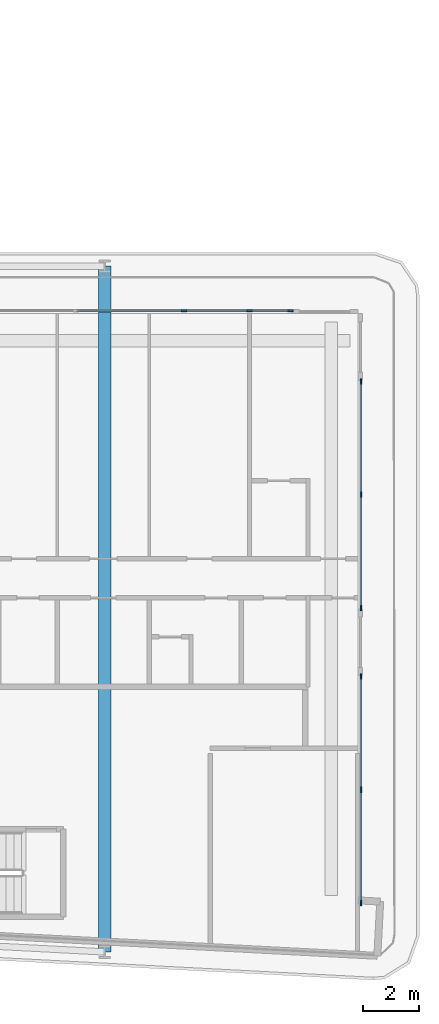
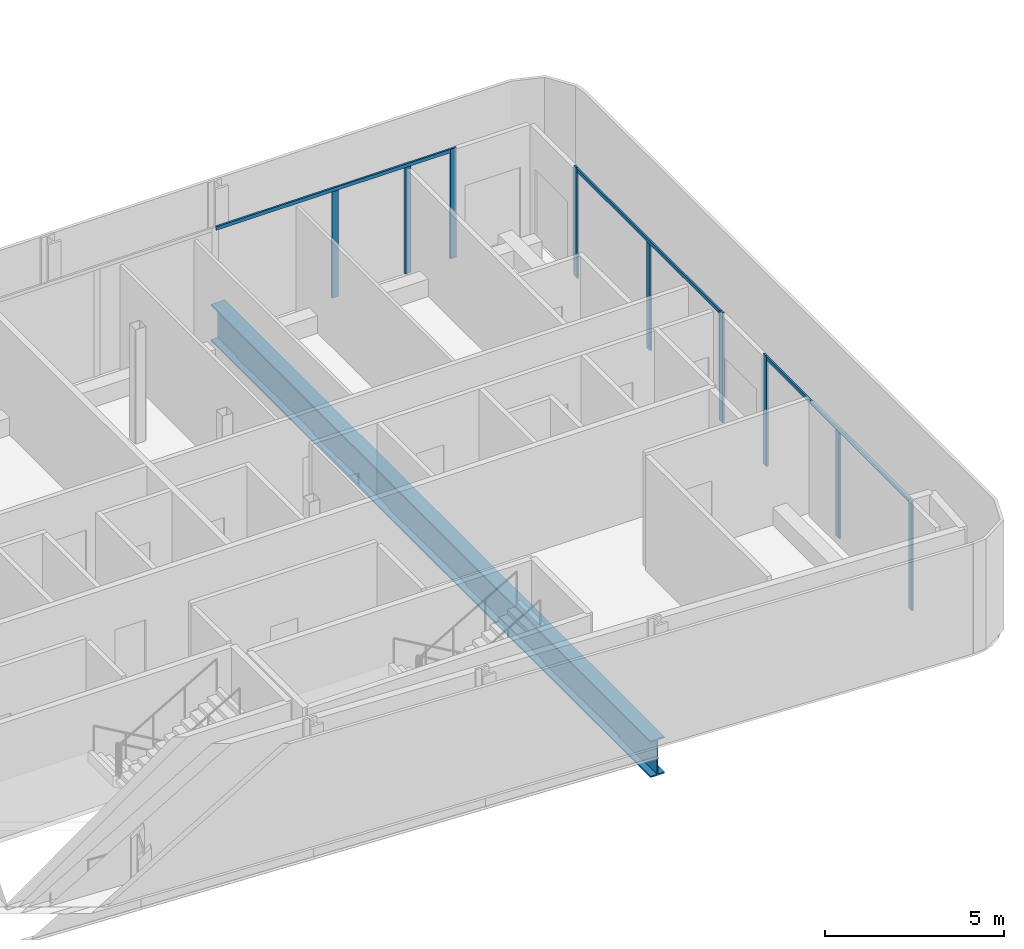
# One storey, part 8 of 28: 12 members, 1 beam, 3 elements without a shape of their own.
"""IFC4 building model written with IfcOpenShell, lengths in metres."""

from ifc_helpers import new_model, si_unit, direction, frame, origin, origin_2d, place, context, subcontext, project, spatial, rectangle, i_section, extrude, material, layer, layer_set, material_profile, profile_set, type_object, element, aggregate, save


model = new_model("IFC4")

# Units and contexts
model_context = context("Model", 3, precision=1e-05, world=origin(), true_north=direction((0.0, 1.0)))
body_context = subcontext(model_context, "Body", "Model", "MODEL_VIEW")
ifc_project = project(units=[si_unit("LENGTHUNIT", "METRE"), si_unit("AREAUNIT", "SQUARE_METRE"), si_unit("VOLUMEUNIT", "CUBIC_METRE"), si_unit("PLANEANGLEUNIT", "RADIAN"), si_unit("MASSUNIT", "GRAM", prefix="KILO")], contexts=[model_context])

# Site, building, storey
site_placement = place(None, origin())
site = spatial("IfcSite", under=ifc_project, at=site_placement, CompositionType="ELEMENT")
building_placement = place(site_placement, origin())
building = spatial("IfcBuilding", under=site, at=building_placement, Name="Kheshtan School and Residences Tower", CompositionType="ELEMENT")
storey_placement = place(building_placement, frame((0.0, 0.0, 140.89990234375)))
storey = spatial("IfcBuildingStorey", under=building, at=storey_placement, Name="L33", CompositionType="ELEMENT", Elevation=140.89990234375)

# Curtain wall, members
ifc_material_1 = material(Name="Clear low-e glass in thermally broken aluminium frame", Category="aluminium")
ifc_layer = layer(ifc_material_1, 0.199951171875)
ifc_layer_set = layer_set([ifc_layer], Name="Curtain wall CW-L")
curtain_wall_type = type_object("IfcCurtainWallType", Name="Curtain wall CW-L", PredefinedType="NOTDEFINED", material=ifc_layer_set)
curtain_wall_1_placement = place(storey_placement, origin())
curtain_wall_1 = element("IfcCurtainWall", 1, at=curtain_wall_1_placement, inside=storey, type_object=curtain_wall_type, Name="Curtain wall CWL12k", PredefinedType="NOTDEFINED")
ifc_material_2 = material(Name="Thermally broken aluminium, dark bronze anodised", Category="aluminium")
ifc_material_profile_1 = material_profile(ifc_material_2, rectangle(XDim=0.06005859375, YDim=0.199951171875, at=origin_2d()), Name="CW-L mullion 60x200")
ifc_profile_set_1 = profile_set([ifc_material_profile_1], Name="Thermally broken aluminium, dark bronze anodised")
member_type_1 = type_object("IfcMemberType", Name="CW-L mullion 60x200", PredefinedType="MULLION", material=ifc_profile_set_1)
member_1_placement = place(storey_placement, frame((93.653076171875, 44.0, 0.0), z_axis=(0.0, 0.0, 1.0), x_axis=(0.0, 1.0, 0.0)))
member_1 = element("IfcMember", 2, at=member_1_placement, type_object=member_type_1, Name="CWL12k mullion 2", PredefinedType="MULLION", context=body_context, shape_type="SweptSolid", body=[
    extrude(rectangle(XDim=0.06005859375, YDim=0.199951171875, at=origin_2d()), origin(), (0.0, 0.0, 1.0), 3.630126953125),
])
member_2_placement = place(storey_placement, frame((96.0, 44.0, 0.0), z_axis=(0.0, 0.0, 1.0), x_axis=(0.0, 1.0, 0.0)))
member_2 = element("IfcMember", 3, at=member_2_placement, type_object=member_type_1, Name="CWL12k mullion 3", PredefinedType="MULLION", context=body_context, shape_type="SweptSolid", body=[
    extrude(rectangle(XDim=0.06005859375, YDim=0.199951171875, at=origin_2d()), origin(), (0.0, 0.0, 1.0), 3.630126953125),
])
member_3_placement = place(storey_placement, frame((97.469970703125, 44.0, 0.0), z_axis=(0.0, 0.0, 1.0), x_axis=(0.0, 1.0, 0.0)))
member_3 = element("IfcMember", 4, at=member_3_placement, type_object=member_type_1, Name="CWL12k mullion 4", PredefinedType="MULLION", context=body_context, shape_type="SweptSolid", body=[
    extrude(rectangle(XDim=0.06005859375, YDim=0.199951171875, at=origin_2d()), origin(), (0.0, 0.0, 1.0), 3.75),
])

curtain_wall_2_placement = place(storey_placement, origin())
curtain_wall_2 = element("IfcCurtainWall", 5, at=curtain_wall_2_placement, inside=storey, type_object=curtain_wall_type, Name="Curtain wall CWL13b", PredefinedType="NOTDEFINED")
member_4_placement = place(storey_placement, frame((100.0, 41.469970703125, 0.0), z_axis=(0.0, 0.0, 1.0), x_axis=(1.0, 0.0, 0.0)))
member_4 = element("IfcMember", 6, at=member_4_placement, type_object=member_type_1, Name="CWL13b mullion 1", PredefinedType="MULLION", context=body_context, shape_type="SweptSolid", body=[
    extrude(rectangle(XDim=0.06005859375, YDim=0.199951171875, at=origin_2d()), origin(), (0.0, 0.0, 1.0), 3.75),
])
member_5_placement = place(storey_placement, frame((100.0, 37.403564453125, 0.0), z_axis=(0.0, 0.0, 1.0), x_axis=(1.0, 0.0, 0.0)))
member_5 = element("IfcMember", 7, at=member_5_placement, type_object=member_type_1, Name="CWL13b mullion 2", PredefinedType="MULLION", context=body_context, shape_type="SweptSolid", body=[
    extrude(rectangle(XDim=0.06005859375, YDim=0.199951171875, at=origin_2d()), origin(), (0.0, 0.0, 1.0), 3.630126953125),
])
member_6_placement = place(storey_placement, frame((100.0, 33.3369140625, 0.0), z_axis=(0.0, 0.0, 1.0), x_axis=(1.0, 0.0, 0.0)))
member_6 = element("IfcMember", 8, at=member_6_placement, type_object=member_type_1, Name="CWL13b mullion 3", PredefinedType="MULLION", context=body_context, shape_type="SweptSolid", body=[
    extrude(rectangle(XDim=0.06005859375, YDim=0.199951171875, at=origin_2d()), origin(), (0.0, 0.0, 1.0), 3.75),
])

curtain_wall_3_placement = place(storey_placement, origin())
curtain_wall_3 = element("IfcCurtainWall", 9, at=curtain_wall_3_placement, inside=storey, type_object=curtain_wall_type, Name="Curtain wall CWL13b", PredefinedType="NOTDEFINED")
member_7_placement = place(storey_placement, frame((100.0, 30.876953125, 0.0), z_axis=(0.0, 0.0, 1.0), x_axis=(1.0, 0.0, 0.0)))
member_7 = element("IfcMember", 10, at=member_7_placement, type_object=member_type_1, Name="CWL13b mullion 1", PredefinedType="MULLION", context=body_context, shape_type="SweptSolid", body=[
    extrude(rectangle(XDim=0.06005859375, YDim=0.199951171875, at=origin_2d()), origin(), (0.0, 0.0, 1.0), 3.75),
])
member_8_placement = place(storey_placement, frame((100.0, 26.810546875, 0.0), z_axis=(0.0, 0.0, 1.0), x_axis=(1.0, 0.0, 0.0)))
member_8 = element("IfcMember", 11, at=member_8_placement, type_object=member_type_1, Name="CWL13b mullion 2", PredefinedType="MULLION", context=body_context, shape_type="SweptSolid", body=[
    extrude(rectangle(XDim=0.06005859375, YDim=0.199951171875, at=origin_2d()), origin(), (0.0, 0.0, 1.0), 3.630126953125),
])
member_9_placement = place(storey_placement, frame((100.0, 22.743896484375, 0.0), z_axis=(0.0, 0.0, 1.0), x_axis=(1.0, 0.0, 0.0)))
member_9 = element("IfcMember", 12, at=member_9_placement, type_object=member_type_1, Name="CWL13b mullion 3", PredefinedType="MULLION", context=body_context, shape_type="SweptSolid", body=[
    extrude(rectangle(XDim=0.06005859375, YDim=0.199951171875, at=origin_2d()), origin(), (0.0, 0.0, 1.0), 3.75),
])

# Member
ifc_material_profile_2 = material_profile(ifc_material_2, rectangle(XDim=0.06005859375, YDim=0.1201171875, at=origin_2d()), Name="CW-L transom 60x120")
ifc_profile_set_2 = profile_set([ifc_material_profile_2], Name="Thermally broken aluminium, dark bronze anodised")
member_type_2 = type_object("IfcMemberType", Name="CW-L transom 60x120", PredefinedType="USERDEFINED", material=ifc_profile_set_2)
member_10_placement = place(storey_placement, frame((89.805908203125, 44.0, 3.690185546875), z_axis=(1.0, 0.0, 0.0), x_axis=(0.0, 1.0, 0.0)))
member_10 = element("IfcMember", 13, at=member_10_placement, type_object=member_type_2, Name="CWL12k transom 1", ObjectType="TRANSOM", PredefinedType="USERDEFINED", context=body_context, shape_type="SweptSolid", body=[
    extrude(rectangle(XDim=0.06005859375, YDim=0.1201171875, at=origin_2d()), origin(), (0.0, 0.0, 1.0), 7.634033203125),
])

aggregate(curtain_wall_1, [member_1, member_2, member_3, member_10])

member_11_placement = place(storey_placement, frame((100.0, 41.43994140625, 3.690185546875), z_axis=(0.0, -1.0, 0.0), x_axis=(1.0, 0.0, 0.0)))
member_11 = element("IfcMember", 14, at=member_11_placement, type_object=member_type_2, Name="CWL13b transom 1", ObjectType="TRANSOM", PredefinedType="USERDEFINED", context=body_context, shape_type="SweptSolid", body=[
    extrude(rectangle(XDim=0.06005859375, YDim=0.1201171875, at=origin_2d()), origin(), (0.0, 0.0, 1.0), 8.072998046875),
])

aggregate(curtain_wall_2, [member_4, member_5, member_6, member_11])

member_12_placement = place(storey_placement, frame((100.0, 30.846923828125, 3.690185546875), z_axis=(0.0, -1.0, 0.0), x_axis=(1.0, 0.0, 0.0)))
member_12 = element("IfcMember", 15, at=member_12_placement, type_object=member_type_2, Name="CWL13b transom 1", ObjectType="TRANSOM", PredefinedType="USERDEFINED", context=body_context, shape_type="SweptSolid", body=[
    extrude(rectangle(XDim=0.06005859375, YDim=0.1201171875, at=origin_2d()), origin(), (0.0, 0.0, 1.0), 8.072998046875),
])

aggregate(curtain_wall_3, [member_7, member_8, member_9, member_12])

# Beam
ifc_material_3 = material(Name="Steel ASTM A992 Grade 50", Category="steel")
ifc_material_profile_3 = material_profile(ifc_material_3, i_section(OverallWidth=0.449951171875, OverallDepth=1.25, WebThickness=0.02490234375, FlangeThickness=0.044921875, FilletRadius=0.03759765625, at=origin_2d()), Name="WWF1250x546")
ifc_profile_set_3 = profile_set([ifc_material_profile_3], Name="Steel ASTM A992 Grade 50")
beam_type = type_object("IfcBeamType", Name="Transfer girder TG4 WWF1250x546 ASTM A992 Grade 50", PredefinedType="BEAM", material=ifc_profile_set_3)
beam_placement = place(storey_placement, frame((90.800048828125, 45.60009765625, -0.77490234375), z_axis=(0.0, -1.0, 0.0), x_axis=(1.0, 0.0, 0.0)))
element("IfcBeam", 16, at=beam_placement, inside=storey, type_object=beam_type, Name="Transfer girder C068-C006", PredefinedType="BEAM", context=body_context, shape_type="SweptSolid", body=[
    extrude(i_section(OverallWidth=0.449951171875, OverallDepth=1.25, WebThickness=0.02490234375, FlangeThickness=0.044921875, FilletRadius=0.03759765625, at=origin_2d()), origin(), (0.0, 0.0, 1.0), 24.610107421875),
])

save(model, "model.ifc")
